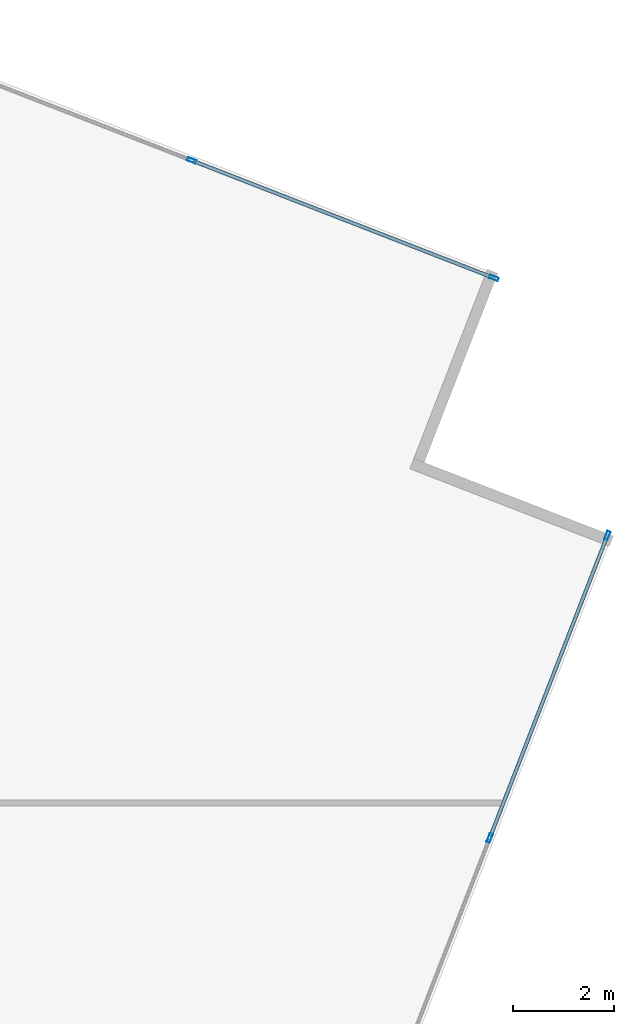
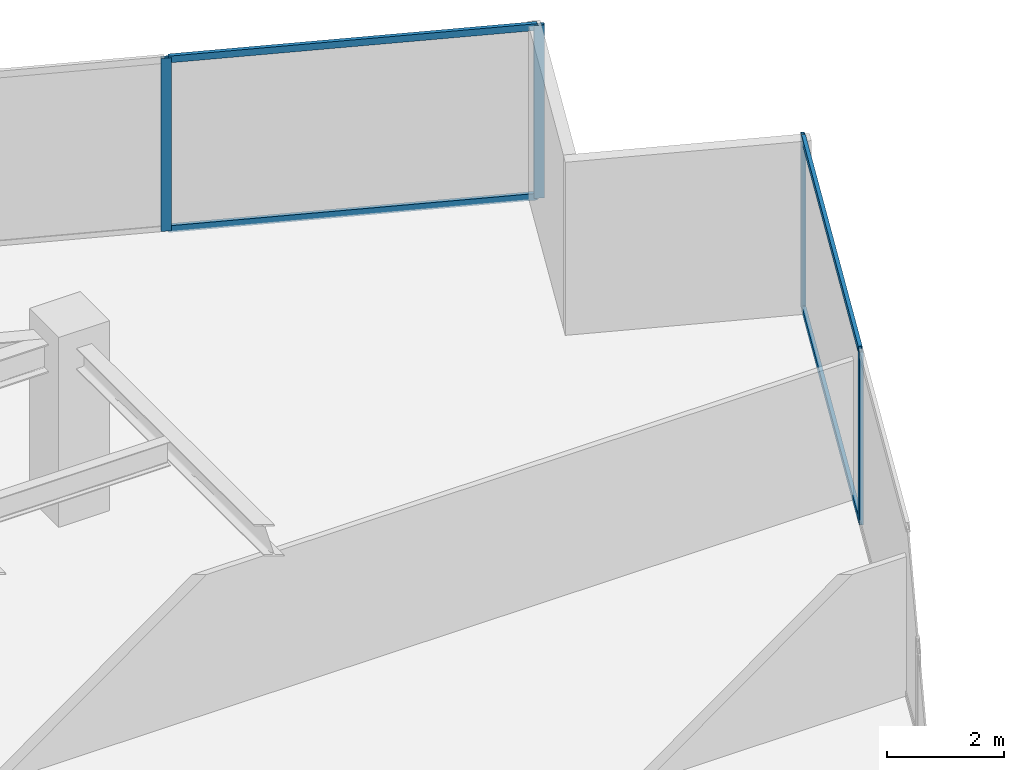
# One storey, part 19 of 26: 8 members, 2 elements without a shape of their own.
"""IFC4 building model written with IfcOpenShell, lengths in metres."""

from ifc_helpers import new_model, si_unit, direction, frame, origin, origin_2d, place, context, subcontext, project, spatial, hollow_rectangle, extrude, source, transform, mapped, material, material_profile, profile_set, type_object, type_shapes, element, aggregate, save


model = new_model("IFC4")

# Units and contexts
model_context = context("Model", 3, precision=1e-05, world=origin(), true_north=direction((0.0, 1.0)))
body_context = subcontext(model_context, "Body", "Model", "MODEL_VIEW")
ifc_project = project(units=[si_unit("LENGTHUNIT", "METRE"), si_unit("AREAUNIT", "SQUARE_METRE"), si_unit("VOLUMEUNIT", "CUBIC_METRE"), si_unit("PLANEANGLEUNIT", "RADIAN"), si_unit("MASSUNIT", "GRAM", prefix="KILO")], contexts=[model_context])

# Site, building, storey
site_placement = place(None, origin())
site = spatial("IfcSite", under=ifc_project, at=site_placement, CompositionType="ELEMENT")
building_placement = place(site_placement, origin())
building = spatial("IfcBuilding", under=site, at=building_placement, Name="Krantzveldt Concourse Tower", CompositionType="ELEMENT")
storey_placement = place(building_placement, frame((0.0, 0.0, 137.449951171875)))
storey = spatial("IfcBuildingStorey", under=building, at=storey_placement, Name="L33", CompositionType="ELEMENT", Elevation=137.449951171875)

# Curtain wall, members
ifc_material = material(Name="Anodised aluminium 6063-T6", Category="aluminium")
curtain_wall_type = type_object("IfcCurtainWallType", Name="CW2", PredefinedType="USERDEFINED", material=ifc_material)
curtain_wall_1_placement = place(storey_placement, origin())
curtain_wall_1 = element("IfcCurtainWall", 1, at=curtain_wall_1_placement, inside=storey, type_object=curtain_wall_type, Name="CW-L33-F11", ObjectType="UNITISED CURTAIN WALL", PredefinedType="USERDEFINED")
ifc_material_profile_1 = material_profile(ifc_material, hollow_rectangle(XDim=0.070068359375, YDim=0.139892578125, WallThickness=0.0048828125, at=origin_2d()), Name="Anodised aluminium 6063-T6", Category="aluminium")
ifc_profile_set_1 = profile_set([ifc_material_profile_1], Name="Anodised aluminium 6063-T6 - ALU-TRAN 140x70x5")
member_type_1 = type_object("IfcMemberType", Name="CW-TRN-150", PredefinedType="USERDEFINED", material=ifc_profile_set_1)
shared_shape_1 = source(origin(), body_context, "Body", "SweptSolid", [
    extrude(hollow_rectangle(XDim=0.070068359375, YDim=0.139892578125, WallThickness=0.0048828125, at=origin_2d()), origin(), (0.0, 0.0, 1.0), 6.36181640625),
])
type_shapes(member_type_1, [shared_shape_1])
member_1_placement = place(storey_placement, frame((62.42529296875, 30.338134765625, 0.03515625), z_axis=(0.362427741589, 0.932011873383, 0.0), x_axis=(-0.932011873383, 0.362427741589, 0.0)))
member_1 = element("IfcMember", 2, at=member_1_placement, type_object=member_type_1, Name="CW-Z12 transom 6.1", ObjectType="TRANSOM", PredefinedType="USERDEFINED", context=body_context, shape_type="MappedRepresentation", body=[
    mapped(shared_shape_1, transform((0.0, 0.0, 0.0), x_axis=(1.0, 0.0, 0.0), y_axis=(0.0, 1.0, 0.0), z_axis=(0.0, 0.0, 1.0), scale=1.0)),
])
member_2_placement = place(storey_placement, frame((62.42529296875, 30.338134765625, 3.56494140625), z_axis=(0.362427741589, 0.932011873383, 0.0), x_axis=(-0.932011873383, 0.362427741589, 0.0)))
member_2 = element("IfcMember", 3, at=member_2_placement, type_object=member_type_1, Name="CW-Z12 transom 6.2", ObjectType="TRANSOM", PredefinedType="USERDEFINED", context=body_context, shape_type="MappedRepresentation", body=[
    mapped(shared_shape_1, transform((0.0, 0.0, 0.0), x_axis=(1.0, 0.0, 0.0), y_axis=(0.0, 1.0, 0.0), z_axis=(0.0, 0.0, 1.0), scale=1.0)),
])

curtain_wall_2_placement = place(storey_placement, origin())
curtain_wall_2 = element("IfcCurtainWall", 4, at=curtain_wall_2_placement, inside=storey, type_object=curtain_wall_type, Name="CW-L33-F14", ObjectType="UNITISED CURTAIN WALL", PredefinedType="USERDEFINED")
member_3_placement = place(storey_placement, frame((62.464111328125, 41.419189453125, 0.03515625), z_axis=(-0.932011873383, 0.362427741589, 0.0), x_axis=(-0.362427741589, -0.932011873383, 0.0)))
member_3 = element("IfcMember", 5, at=member_3_placement, type_object=member_type_1, Name="CW-Z12 transom 1.1", ObjectType="TRANSOM", PredefinedType="USERDEFINED", context=body_context, shape_type="MappedRepresentation", body=[
    mapped(shared_shape_1, transform((0.0, 0.0, 0.0), x_axis=(1.0, 0.0, 0.0), y_axis=(0.0, 1.0, 0.0), z_axis=(0.0, 0.0, 1.0), scale=1.0)),
])
member_4_placement = place(storey_placement, frame((62.464111328125, 41.419189453125, 3.56494140625), z_axis=(-0.932011873383, 0.362427741589, 0.0), x_axis=(-0.362427741589, -0.932011873383, 0.0)))
member_4 = element("IfcMember", 6, at=member_4_placement, type_object=member_type_1, Name="CW-Z12 transom 1.2", ObjectType="TRANSOM", PredefinedType="USERDEFINED", context=body_context, shape_type="MappedRepresentation", body=[
    mapped(shared_shape_1, transform((0.0, 0.0, 0.0), x_axis=(1.0, 0.0, 0.0), y_axis=(0.0, 1.0, 0.0), z_axis=(0.0, 0.0, 1.0), scale=1.0)),
])

# Member
ifc_material_profile_2 = material_profile(ifc_material, hollow_rectangle(XDim=0.070068359375, YDim=0.179931640625, WallThickness=0.0048828125, at=origin_2d()), Name="Anodised aluminium 6063-T6", Category="aluminium")
ifc_profile_set_2 = profile_set([ifc_material_profile_2], Name="Anodised aluminium 6063-T6 - ALU-MULL 180x70x5")
member_type_2 = type_object("IfcMemberType", Name="CW-MUL-180", PredefinedType="MULLION", material=ifc_profile_set_2)
shared_shape_2 = source(origin(), body_context, "Body", "SweptSolid", [
    extrude(hollow_rectangle(XDim=0.070068359375, YDim=0.179931640625, WallThickness=0.0048828125, at=origin_2d()), origin(), (0.0, 0.0, 1.0), 3.60009765625),
])
type_shapes(member_type_2, [shared_shape_2])
member_5_placement = place(storey_placement, frame((62.41259765625, 30.305419921875, 0.0), z_axis=(0.0, 0.0, 1.0), x_axis=(-0.93200790248, 0.362437952917, 0.0)))
member_5 = element("IfcMember", 7, at=member_5_placement, type_object=member_type_2, Name="CW-Z12 mullion 6", PredefinedType="MULLION", context=body_context, shape_type="MappedRepresentation", body=[
    mapped(shared_shape_2, transform((0.0, 0.0, 0.0), x_axis=(1.0, 0.0, 0.0), y_axis=(0.0, 1.0, 0.0), z_axis=(0.0, 0.0, 1.0), scale=1.0)),
])

member_6_placement = place(storey_placement, frame((64.74365234375, 36.2998046875, 0.0), z_axis=(0.0, 0.0, 1.0), x_axis=(-0.93200790248, 0.362437952917, 0.0)))
member_6 = element("IfcMember", 8, at=member_6_placement, type_object=member_type_2, Name="CW-Z12 mullion 7", PredefinedType="MULLION", context=body_context, shape_type="MappedRepresentation", body=[
    mapped(shared_shape_2, transform((0.0, 0.0, 0.0), x_axis=(1.0, 0.0, 0.0), y_axis=(0.0, 1.0, 0.0), z_axis=(0.0, 0.0, 1.0), scale=1.0)),
])

aggregate(curtain_wall_1, [member_5, member_6, member_1, member_2])

member_7_placement = place(storey_placement, frame((62.496826171875, 41.406494140625, 0.0), z_axis=(0.0, 0.0, 1.0), x_axis=(-0.362437952917, -0.93200790248, 0.0)))
member_7 = element("IfcMember", 9, at=member_7_placement, type_object=member_type_2, Name="CW-Z12 mullion 1", PredefinedType="MULLION", context=body_context, shape_type="MappedRepresentation", body=[
    mapped(shared_shape_2, transform((0.0, 0.0, 0.0), x_axis=(1.0, 0.0, 0.0), y_axis=(0.0, 1.0, 0.0), z_axis=(0.0, 0.0, 1.0), scale=1.0)),
])

member_8_placement = place(storey_placement, frame((56.50244140625, 43.737548828125, 0.0), z_axis=(0.0, 0.0, 1.0), x_axis=(-0.362437952917, -0.93200790248, 0.0)))
member_8 = element("IfcMember", 10, at=member_8_placement, type_object=member_type_2, Name="CW-Z12 mullion 2", PredefinedType="MULLION", context=body_context, shape_type="MappedRepresentation", body=[
    mapped(shared_shape_2, transform((0.0, 0.0, 0.0), x_axis=(1.0, 0.0, 0.0), y_axis=(0.0, 1.0, 0.0), z_axis=(0.0, 0.0, 1.0), scale=1.0)),
])

aggregate(curtain_wall_2, [member_7, member_8, member_3, member_4])

save(model, "model.ifc")
